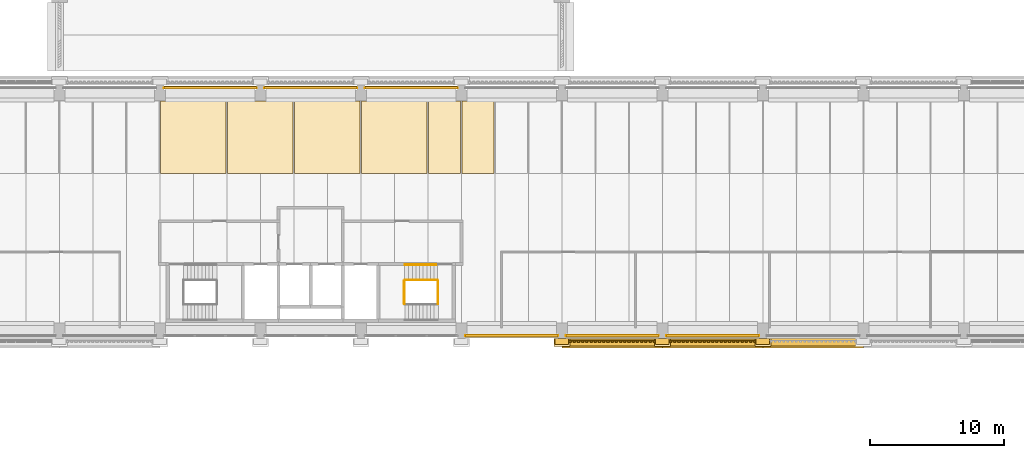
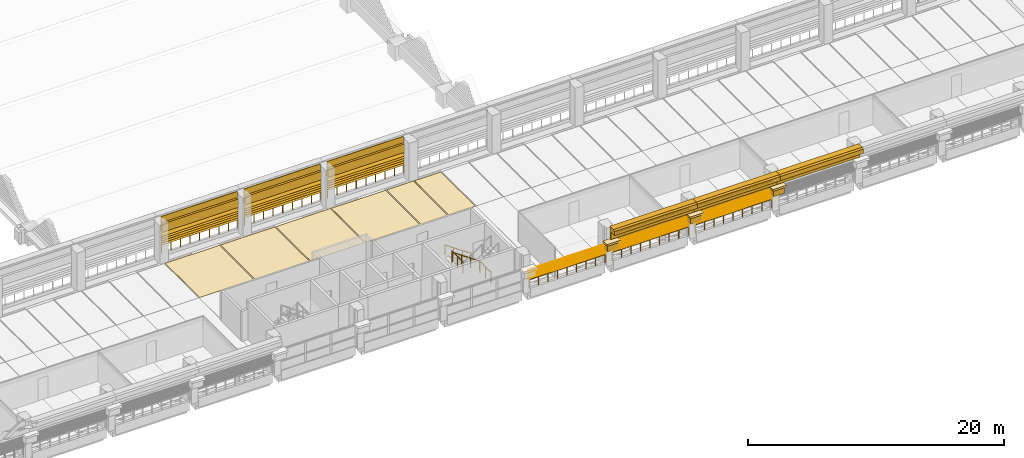
# One storey, part 45 of 71: 30 shading devices, 22 coverings, 10 railings.
"""IFC4 building model written with IfcOpenShell, lengths in metres."""

from ifc_helpers import new_model, si_unit, direction, frame, origin, origin_2d, place, context, subcontext, project, spatial, polyline, circle, outline, extrude, material, layer, layer_set, type_object, element, save


model = new_model("IFC4")

# Units and contexts
model_context = context("Model", 3, precision=1e-05, world=origin(), true_north=direction((0.0, 1.0)))
body_context = subcontext(model_context, "Body", "Model", "MODEL_VIEW")
ifc_project = project(units=[si_unit("LENGTHUNIT", "METRE"), si_unit("AREAUNIT", "SQUARE_METRE"), si_unit("VOLUMEUNIT", "CUBIC_METRE"), si_unit("PLANEANGLEUNIT", "RADIAN"), si_unit("MASSUNIT", "GRAM", prefix="KILO")], contexts=[model_context])

# Site, building, storey
site_placement = place(None, origin())
site = spatial("IfcSite", under=ifc_project, at=site_placement, CompositionType="ELEMENT")
building_placement = place(site_placement, origin())
building = spatial("IfcBuilding", under=site, at=building_placement, Name="Cour d'Honneur Mobility Palace", CompositionType="ELEMENT")
storey_placement = place(building_placement, frame((0.0, 0.0, 15.60009765625)))
storey = spatial("IfcBuildingStorey", under=building, at=storey_placement, Name="L04", CompositionType="ELEMENT", Elevation=15.60009765625)

# Coverings
ifc_material_1 = material(Name="Accessible bay marking paint")
ifc_layer_1 = layer(ifc_material_1, 0.0048828125)
ifc_layer_set_1 = layer_set([ifc_layer_1], Name="Accessible bay marking paint")
covering_type_1 = type_object("IfcCoveringType", Name="Accessible parking bay marking", PredefinedType="FLOORING", material=ifc_layer_set_1)
covering_1_placement = place(storey_placement, origin())
element("IfcCovering", 1, at=covering_1_placement, inside=storey, type_object=covering_type_1, Name="Accessible parking bay marking L04 1", PredefinedType="FLOORING", context=body_context, shape_type="SweptSolid", body=[
    extrude(outline(polyline([(69.949951171875, 56.550048828125), (69.949951171875, 61.949951171875), (74.85009765625, 61.949951171875), (74.85009765625, 56.550048828125), (69.949951171875, 56.550048828125)])), origin(), (0.0, 0.0, 1.0), 0.0048828125),
])
covering_2_placement = place(storey_placement, origin())
element("IfcCovering", 2, at=covering_2_placement, inside=storey, type_object=covering_type_1, Name="Accessible parking bay marking L04 2", PredefinedType="FLOORING", context=body_context, shape_type="SweptSolid", body=[
    extrude(outline(polyline([(74.949951171875, 56.550048828125), (74.949951171875, 61.949951171875), (79.85009765625, 61.949951171875), (79.85009765625, 56.550048828125), (74.949951171875, 56.550048828125)])), origin(), (0.0, 0.0, 1.0), 0.0048828125),
])
covering_3_placement = place(storey_placement, origin())
element("IfcCovering", 3, at=covering_3_placement, inside=storey, type_object=covering_type_1, Name="Accessible parking bay marking L04 3", PredefinedType="FLOORING", context=body_context, shape_type="SweptSolid", body=[
    extrude(outline(polyline([(79.949951171875, 56.550048828125), (79.949951171875, 61.949951171875), (84.85009765625, 61.949951171875), (84.85009765625, 56.550048828125), (79.949951171875, 56.550048828125)])), origin(), (0.0, 0.0, 1.0), 0.0048828125),
])
covering_4_placement = place(storey_placement, origin())
element("IfcCovering", 4, at=covering_4_placement, inside=storey, type_object=covering_type_1, Name="Accessible parking bay marking L04 4", PredefinedType="FLOORING", context=body_context, shape_type="SweptSolid", body=[
    extrude(outline(polyline([(84.949951171875, 56.550048828125), (84.949951171875, 61.949951171875), (89.85009765625, 61.949951171875), (89.85009765625, 56.550048828125), (84.949951171875, 56.550048828125)])), origin(), (0.0, 0.0, 1.0), 0.0048828125),
])

# Railings
ifc_material_2 = material(Name="Painted steel", Category="steel")
railing_type_1 = type_object("IfcRailingType", Name="Balustrade", PredefinedType="BALUSTRADE", material=ifc_material_2)
for number, where, name in (
    (5, (92.699951171875, 44.449951171875, 0.2998046875), "Balustrade BAL-211"),
    (6, (100.199951171875, 44.449951171875, 0.2998046875), "Balustrade BAL-212"),
    (7, (107.699951171875, 44.449951171875, 0.2998046875), "Balustrade BAL-213"),
):
    element("IfcRailing", number, at=place(storey_placement, frame(where)), inside=storey, type_object=railing_type_1, Name=name, PredefinedType="BALUSTRADE", context=body_context, shape_type="SweptSolid", body=[
        extrude(circle(Radius=0.02392578125, at=origin_2d()), frame((0.0, 0.0, 0.77587890625), z_axis=(1.0, 0.0, 0.0), x_axis=(0.0, 1.0, 0.0)), (0.0, 0.0, 1.0), 6.900146484375),
        extrude(circle(Radius=0.02099609375, at=origin_2d()), origin(), (0.0, 0.0, 1.0), 0.751953125),
        extrude(circle(Radius=0.02099609375, at=origin_2d()), frame((0.862548828125, 0.0, 0.0)), (0.0, 0.0, 1.0), 0.751953125),
        extrude(circle(Radius=0.02099609375, at=origin_2d()), frame((1.72509765625, 0.0, 0.0)), (0.0, 0.0, 1.0), 0.751953125),
        extrude(circle(Radius=0.02099609375, at=origin_2d()), frame((2.587646484375, 0.0, 0.0)), (0.0, 0.0, 1.0), 0.751953125),
        extrude(circle(Radius=0.02099609375, at=origin_2d()), frame((3.4501953125, 0.0, 0.0)), (0.0, 0.0, 1.0), 0.751953125),
        extrude(circle(Radius=0.02099609375, at=origin_2d()), frame((4.3125, 0.0, 0.0)), (0.0, 0.0, 1.0), 0.751953125),
        extrude(circle(Radius=0.02099609375, at=origin_2d()), frame((5.175048828125, 0.0, 0.0)), (0.0, 0.0, 1.0), 0.751953125),
        extrude(circle(Radius=0.02099609375, at=origin_2d()), frame((6.03759765625, 0.0, 0.0)), (0.0, 0.0, 1.0), 0.751953125),
        extrude(circle(Radius=0.02099609375, at=origin_2d()), frame((6.900146484375, 0.0, 0.0)), (0.0, 0.0, 1.0), 0.751953125),
    ])
for number, where, name in (
    (8, (92.10009765625, 62.949951171875, 0.2998046875), "Balustrade BAL-242"),
    (9, (84.60009765625, 62.949951171875, 0.2998046875), "Balustrade BAL-243"),
    (10, (77.10009765625, 62.949951171875, 0.2998046875), "Balustrade BAL-244"),
):
    element("IfcRailing", number, at=place(storey_placement, frame(where)), inside=storey, type_object=railing_type_1, Name=name, PredefinedType="BALUSTRADE", context=body_context, shape_type="SweptSolid", body=[
        extrude(circle(Radius=0.02392578125, at=origin_2d()), frame((0.0, 0.0, 0.77587890625), z_axis=(-1.0, 0.0, 0.0), x_axis=(0.0, -1.0, 0.0)), (0.0, 0.0, 1.0), 6.900146484375),
        extrude(circle(Radius=0.02099609375, at=origin_2d()), origin(), (0.0, 0.0, 1.0), 0.751953125),
        extrude(circle(Radius=0.02099609375, at=origin_2d()), frame((-0.862548828125, 0.0, 0.0)), (0.0, 0.0, 1.0), 0.751953125),
        extrude(circle(Radius=0.02099609375, at=origin_2d()), frame((-1.72509765625, 0.0, 0.0)), (0.0, 0.0, 1.0), 0.751953125),
        extrude(circle(Radius=0.02099609375, at=origin_2d()), frame((-2.587646484375, 0.0, 0.0)), (0.0, 0.0, 1.0), 0.751953125),
        extrude(circle(Radius=0.02099609375, at=origin_2d()), frame((-3.4501953125, 0.0, 0.0)), (0.0, 0.0, 1.0), 0.751953125),
        extrude(circle(Radius=0.02099609375, at=origin_2d()), frame((-4.3125, 0.0, 0.0)), (0.0, 0.0, 1.0), 0.751953125),
        extrude(circle(Radius=0.02099609375, at=origin_2d()), frame((-5.175048828125, 0.0, 0.0)), (0.0, 0.0, 1.0), 0.751953125),
        extrude(circle(Radius=0.02099609375, at=origin_2d()), frame((-6.03759765625, 0.0, 0.0)), (0.0, 0.0, 1.0), 0.751953125),
        extrude(circle(Radius=0.02099609375, at=origin_2d()), frame((-6.900146484375, 0.0, 0.0)), (0.0, 0.0, 1.0), 0.751953125),
    ])

# Coverings
ifc_material_3 = material(Name="Cast limestone", Category="masonry")
ifc_layer_2 = layer(ifc_material_3, 0.14990234375)
ifc_layer_set_2 = layer_set([ifc_layer_2], Name="Cast limestone")
covering_type_2 = type_object("IfcCoveringType", Name="Dentil course", PredefinedType="CLADDING", material=ifc_layer_set_2)
covering_5_placement = place(storey_placement, frame((0.0, 0.0, 3.14990234375)))
element("IfcCovering", 11, at=covering_5_placement, inside=storey, type_object=covering_type_2, Name="Dentil course DC-77", PredefinedType="CLADDING", context=body_context, shape_type="SweptSolid", body=[
    extrude(outline(polyline([(100.35009765625, 44.10009765625), (106.949951171875, 44.10009765625), (106.949951171875, 44.070068359375), (106.949951171875, 44.070068359375), (106.871337890625, 44.070068359375), (106.871337890625, 43.949951171875), (106.71435546875, 43.949951171875), (106.71435546875, 44.070068359375), (106.6357421875, 44.070068359375), (106.6357421875, 44.070068359375), (106.55712890625, 44.070068359375), (106.55712890625, 43.949951171875), (106.39990234375, 43.949951171875), (106.39990234375, 44.070068359375), (106.321533203125, 44.070068359375), (106.321533203125, 44.070068359375), (106.242919921875, 44.070068359375), (106.242919921875, 43.949951171875), (106.085693359375, 43.949951171875), (106.085693359375, 44.070068359375), (106.007080078125, 44.070068359375), (106.007080078125, 44.070068359375), (105.928466796875, 44.070068359375), (105.928466796875, 43.949951171875), (105.771484375, 43.949951171875), (105.771484375, 44.070068359375), (105.69287109375, 44.070068359375), (105.69287109375, 44.070068359375), (105.6142578125, 44.070068359375), (105.6142578125, 43.949951171875), (105.45703125, 43.949951171875), (105.45703125, 44.070068359375), (105.378662109375, 44.070068359375), (105.378662109375, 44.070068359375), (105.300048828125, 44.070068359375), (105.300048828125, 43.949951171875), (105.142822265625, 43.949951171875), (105.142822265625, 44.070068359375), (105.064208984375, 44.070068359375), (105.064208984375, 44.070068359375), (104.985595703125, 44.070068359375), (104.985595703125, 43.949951171875), (104.82861328125, 43.949951171875), (104.82861328125, 44.070068359375), (104.75, 44.070068359375), (104.75, 44.070068359375), (104.67138671875, 44.070068359375), (104.67138671875, 43.949951171875), (104.514404296875, 43.949951171875), (104.514404296875, 44.070068359375), (104.435791015625, 44.070068359375), (104.435791015625, 44.070068359375), (104.357177734375, 44.070068359375), (104.357177734375, 43.949951171875), (104.199951171875, 43.949951171875), (104.199951171875, 44.070068359375), (104.121337890625, 44.070068359375), (104.121337890625, 44.070068359375), (104.04296875, 44.070068359375), (104.04296875, 43.949951171875), (103.8857421875, 43.949951171875), (103.8857421875, 44.070068359375), (103.80712890625, 44.070068359375), (103.80712890625, 44.070068359375), (103.728515625, 44.070068359375), (103.728515625, 43.949951171875), (103.571533203125, 43.949951171875), (103.571533203125, 44.070068359375), (103.492919921875, 44.070068359375), (103.492919921875, 44.070068359375), (103.414306640625, 44.070068359375), (103.414306640625, 43.949951171875), (103.257080078125, 43.949951171875), (103.257080078125, 44.070068359375), (103.178466796875, 44.070068359375), (103.178466796875, 44.070068359375), (103.10009765625, 44.070068359375), (103.10009765625, 43.949951171875), (102.94287109375, 43.949951171875), (102.94287109375, 44.070068359375), (102.8642578125, 44.070068359375), (102.8642578125, 44.070068359375), (102.78564453125, 44.070068359375), (102.78564453125, 43.949951171875), (102.628662109375, 43.949951171875), (102.628662109375, 44.070068359375), (102.550048828125, 44.070068359375), (102.550048828125, 44.070068359375), (102.471435546875, 44.070068359375), (102.471435546875, 43.949951171875), (102.314208984375, 43.949951171875), (102.314208984375, 44.070068359375), (102.235595703125, 44.070068359375), (102.235595703125, 44.070068359375), (102.1572265625, 44.070068359375), (102.1572265625, 43.949951171875), (102.0, 43.949951171875), (102.0, 44.070068359375), (101.92138671875, 44.070068359375), (101.92138671875, 44.070068359375), (101.8427734375, 44.070068359375), (101.8427734375, 43.949951171875), (101.685791015625, 43.949951171875), (101.685791015625, 44.070068359375), (101.607177734375, 44.070068359375), (101.607177734375, 44.070068359375), (101.528564453125, 44.070068359375), (101.528564453125, 43.949951171875), (101.371337890625, 43.949951171875), (101.371337890625, 44.070068359375), (101.29296875, 44.070068359375), (101.29296875, 44.070068359375), (101.21435546875, 44.070068359375), (101.21435546875, 43.949951171875), (101.05712890625, 43.949951171875), (101.05712890625, 44.070068359375), (100.978515625, 44.070068359375), (100.978515625, 44.070068359375), (100.89990234375, 44.070068359375), (100.89990234375, 43.949951171875), (100.742919921875, 43.949951171875), (100.742919921875, 44.070068359375), (100.664306640625, 44.070068359375), (100.664306640625, 44.070068359375), (100.585693359375, 44.070068359375), (100.585693359375, 43.949951171875), (100.428466796875, 43.949951171875), (100.428466796875, 44.070068359375), (100.35009765625, 44.070068359375), (100.35009765625, 44.10009765625)])), origin(), (0.0, 0.0, 1.0), 0.14990234375),
])
covering_6_placement = place(storey_placement, frame((0.0, 0.0, 3.14990234375)))
element("IfcCovering", 12, at=covering_6_placement, inside=storey, type_object=covering_type_2, Name="Dentil course DC-78", PredefinedType="CLADDING", context=body_context, shape_type="SweptSolid", body=[
    extrude(outline(polyline([(107.85009765625, 44.10009765625), (114.449951171875, 44.10009765625), (114.449951171875, 44.070068359375), (114.449951171875, 44.070068359375), (114.371337890625, 44.070068359375), (114.371337890625, 43.949951171875), (114.21435546875, 43.949951171875), (114.21435546875, 44.070068359375), (114.1357421875, 44.070068359375), (114.1357421875, 44.070068359375), (114.05712890625, 44.070068359375), (114.05712890625, 43.949951171875), (113.89990234375, 43.949951171875), (113.89990234375, 44.070068359375), (113.821533203125, 44.070068359375), (113.821533203125, 44.070068359375), (113.742919921875, 44.070068359375), (113.742919921875, 43.949951171875), (113.585693359375, 43.949951171875), (113.585693359375, 44.070068359375), (113.507080078125, 44.070068359375), (113.507080078125, 44.070068359375), (113.428466796875, 44.070068359375), (113.428466796875, 43.949951171875), (113.271484375, 43.949951171875), (113.271484375, 44.070068359375), (113.19287109375, 44.070068359375), (113.19287109375, 44.070068359375), (113.1142578125, 44.070068359375), (113.1142578125, 43.949951171875), (112.95703125, 43.949951171875), (112.95703125, 44.070068359375), (112.878662109375, 44.070068359375), (112.878662109375, 44.070068359375), (112.800048828125, 44.070068359375), (112.800048828125, 43.949951171875), (112.642822265625, 43.949951171875), (112.642822265625, 44.070068359375), (112.564208984375, 44.070068359375), (112.564208984375, 44.070068359375), (112.485595703125, 44.070068359375), (112.485595703125, 43.949951171875), (112.32861328125, 43.949951171875), (112.32861328125, 44.070068359375), (112.25, 44.070068359375), (112.25, 44.070068359375), (112.17138671875, 44.070068359375), (112.17138671875, 43.949951171875), (112.014404296875, 43.949951171875), (112.014404296875, 44.070068359375), (111.935791015625, 44.070068359375), (111.935791015625, 44.070068359375), (111.857177734375, 44.070068359375), (111.857177734375, 43.949951171875), (111.699951171875, 43.949951171875), (111.699951171875, 44.070068359375), (111.621337890625, 44.070068359375), (111.621337890625, 44.070068359375), (111.54296875, 44.070068359375), (111.54296875, 43.949951171875), (111.3857421875, 43.949951171875), (111.3857421875, 44.070068359375), (111.30712890625, 44.070068359375), (111.30712890625, 44.070068359375), (111.228515625, 44.070068359375), (111.228515625, 43.949951171875), (111.071533203125, 43.949951171875), (111.071533203125, 44.070068359375), (110.992919921875, 44.070068359375), (110.992919921875, 44.070068359375), (110.914306640625, 44.070068359375), (110.914306640625, 43.949951171875), (110.757080078125, 43.949951171875), (110.757080078125, 44.070068359375), (110.678466796875, 44.070068359375), (110.678466796875, 44.070068359375), (110.60009765625, 44.070068359375), (110.60009765625, 43.949951171875), (110.44287109375, 43.949951171875), (110.44287109375, 44.070068359375), (110.3642578125, 44.070068359375), (110.3642578125, 44.070068359375), (110.28564453125, 44.070068359375), (110.28564453125, 43.949951171875), (110.128662109375, 43.949951171875), (110.128662109375, 44.070068359375), (110.050048828125, 44.070068359375), (110.050048828125, 44.070068359375), (109.971435546875, 44.070068359375), (109.971435546875, 43.949951171875), (109.814208984375, 43.949951171875), (109.814208984375, 44.070068359375), (109.735595703125, 44.070068359375), (109.735595703125, 44.070068359375), (109.6572265625, 44.070068359375), (109.6572265625, 43.949951171875), (109.5, 43.949951171875), (109.5, 44.070068359375), (109.42138671875, 44.070068359375), (109.42138671875, 44.070068359375), (109.3427734375, 44.070068359375), (109.3427734375, 43.949951171875), (109.185791015625, 43.949951171875), (109.185791015625, 44.070068359375), (109.107177734375, 44.070068359375), (109.107177734375, 44.070068359375), (109.028564453125, 44.070068359375), (109.028564453125, 43.949951171875), (108.871337890625, 43.949951171875), (108.871337890625, 44.070068359375), (108.79296875, 44.070068359375), (108.79296875, 44.070068359375), (108.71435546875, 44.070068359375), (108.71435546875, 43.949951171875), (108.55712890625, 43.949951171875), (108.55712890625, 44.070068359375), (108.478515625, 44.070068359375), (108.478515625, 44.070068359375), (108.39990234375, 44.070068359375), (108.39990234375, 43.949951171875), (108.242919921875, 43.949951171875), (108.242919921875, 44.070068359375), (108.164306640625, 44.070068359375), (108.164306640625, 44.070068359375), (108.085693359375, 44.070068359375), (108.085693359375, 43.949951171875), (107.928466796875, 43.949951171875), (107.928466796875, 44.070068359375), (107.85009765625, 44.070068359375), (107.85009765625, 44.10009765625)])), origin(), (0.0, 0.0, 1.0), 0.14990234375),
])
ifc_material_4 = material(Name="Cast limestone", Category="masonry")
ifc_layer_3 = layer(ifc_material_4, 0.699951171875)
ifc_layer_set_3 = layer_set([ifc_layer_3], Name="Cast limestone")
covering_type_3 = type_object("IfcCoveringType", Name="Entablature", PredefinedType="CLADDING", material=ifc_layer_set_3)
for number, where, z_axis, x_axis, name in (
    (13, (99.89990234375, 44.25, 2.599853515625), (-1.0, 0.0, 0.0), (0.0, -1.0, 0.0), "Entablature EN-77"),
    (14, (107.39990234375, 44.25, 2.599853515625), (-1.0, 0.0, 0.0), (0.0, -1.0, 0.0), "Entablature EN-78"),
    (15, (114.89990234375, 44.25, 2.599853515625), (-1.0, 0.0, 0.0), (0.0, -1.0, 0.0), "Entablature EN-79"),
):
    element("IfcCovering", number, at=place(storey_placement, frame(where, z_axis=z_axis, x_axis=x_axis)), inside=storey, type_object=covering_type_3, Name=name, PredefinedType="CLADDING", context=body_context, shape_type="SweptSolid", body=[
        extrude(outline(polyline([(0.0, 0.0), (0.14990234375, 0.0), (0.14990234375, 0.699951171875), (0.699951171875, 0.699951171875), (0.699951171875, 1.10009765625), (0.550048828125, 1.199951171875), (0.0, 1.199951171875), (0.0, 0.0)])), origin(), (0.0, 0.0, -1.0), 7.5),
    ])

# Railings
ifc_material_5 = material(Name="Painted steel", Category="steel")
railing_type_2 = type_object("IfcRailingType", Name="Guardrail 1100", PredefinedType="GUARDRAIL", material=ifc_material_5)
for number, where, name in (
    (16, (90.64501953125, 46.824951171875, 0.0), "Guard ST-CC2"),
    (17, (88.135009765625, 46.824951171875, 1.849853515625), "Landing guard ST-CC2"),
):
    element("IfcRailing", number, at=place(storey_placement, frame(where)), inside=storey, type_object=railing_type_2, Name=name, PredefinedType="GUARDRAIL", context=body_context, shape_type="SweptSolid", body=[
        extrude(circle(Radius=0.02490234375, at=origin_2d()), frame((0.0, 0.0, 1.0751953125), z_axis=(0.0, 1.0, 0.0), x_axis=(-1.0, 0.0, 0.0)), (0.0, 0.0, 1.0), 1.72509765625),
        extrude(circle(Radius=0.02099609375, at=origin_2d()), origin(), (0.0, 0.0, 1.0), 1.050048828125),
        extrude(circle(Radius=0.02099609375, at=origin_2d()), frame((0.0, 0.862548828125, 0.0)), (0.0, 0.0, 1.0), 1.050048828125),
        extrude(circle(Radius=0.02099609375, at=origin_2d()), frame((0.0, 1.72509765625, 0.0)), (0.0, 0.0, 1.0), 1.050048828125),
    ])
ifc_material_6 = material(Name="Stainless steel", Category="steel")
railing_type_3 = type_object("IfcRailingType", Name="Handrail round 50", PredefinedType="HANDRAIL", material=ifc_material_6)
railing_1_placement = place(storey_placement, frame((90.52490234375, 49.75, 0.25341796875)))
element("IfcRailing", 18, at=railing_1_placement, inside=storey, type_object=railing_type_3, Name="Handrail ST-CC2", PredefinedType="HANDRAIL", context=body_context, shape_type="SweptSolid", body=[
    extrude(circle(Radius=0.02490234375, at=origin_2d()), frame((0.0, 0.0, 0.89501953125), z_axis=(-0.824921175984, 0.0, 0.565247780547), x_axis=(0.0, -1.0, 0.0)), (0.0, 0.0, 1.0), 2.82421875),
    extrude(circle(Radius=0.02099609375, at=origin_2d()), origin(), (0.0, 0.0, 1.0), 0.869873046875),
    extrude(circle(Radius=0.02099609375, at=origin_2d()), frame((-0.776611328125, 0.0, 0.5322265625)), (0.0, 0.0, 1.0), 0.869873046875),
    extrude(circle(Radius=0.02099609375, at=origin_2d()), frame((-1.55322265625, 0.0, 1.064208984375)), (0.0, 0.0, 1.0), 0.869873046875),
    extrude(circle(Radius=0.02099609375, at=origin_2d()), frame((-2.329833984375, 0.0, 1.596435546875)), (0.0, 0.0, 1.0), 0.869873046875),
])
railing_2_placement = place(storey_placement, frame((90.625, 48.60009765625, 0.184814453125)))
element("IfcRailing", 19, at=railing_2_placement, inside=storey, type_object=railing_type_3, Name="Handrail ST-CC2", PredefinedType="HANDRAIL", context=body_context, shape_type="SweptSolid", body=[
    extrude(circle(Radius=0.02490234375, at=origin_2d()), frame((0.0, 0.0, 0.89501953125), z_axis=(-0.8249187745, 0.0, 0.56525128525), x_axis=(0.0, -1.0, 0.0)), (0.0, 0.0, 1.0), 2.945556640625),
    extrude(circle(Radius=0.02099609375, at=origin_2d()), origin(), (0.0, 0.0, 1.0), 0.869873046875),
    extrude(circle(Radius=0.02099609375, at=origin_2d()), frame((-0.81005859375, 0.0, 0.554931640625)), (0.0, 0.0, 1.0), 0.869873046875),
    extrude(circle(Radius=0.02099609375, at=origin_2d()), frame((-1.619873046875, 0.0, 1.110107421875)), (0.0, 0.0, 1.0), 0.869873046875),
    extrude(circle(Radius=0.02099609375, at=origin_2d()), frame((-2.429931640625, 0.0, 1.6650390625)), (0.0, 0.0, 1.0), 0.869873046875),
])

# Coverings
ifc_material_7 = material(Name="Parking marking paint")
ifc_layer_4 = layer(ifc_material_7, 0.0048828125)
ifc_layer_set_4 = layer_set([ifc_layer_4], Name="Parking marking paint")
covering_type_4 = type_object("IfcCoveringType", Name="Parking bay marking", PredefinedType="FLOORING", material=ifc_layer_set_4)
covering_7_placement = place(storey_placement, origin())
element("IfcCovering", 20, at=covering_7_placement, inside=storey, type_object=covering_type_4, Name="Parking bay marking L04 16", PredefinedType="FLOORING", context=body_context, shape_type="SweptSolid", body=[
    extrude(outline(polyline([(92.35009765625, 56.550048828125), (89.949951171875, 56.550048828125), (89.949951171875, 61.949951171875), (92.35009765625, 61.949951171875), (92.35009765625, 56.550048828125)])), origin(), (0.0, 0.0, 1.0), 0.0048828125),
])
covering_8_placement = place(storey_placement, origin())
element("IfcCovering", 21, at=covering_8_placement, inside=storey, type_object=covering_type_4, Name="Parking bay marking L04 17", PredefinedType="FLOORING", context=body_context, shape_type="SweptSolid", body=[
    extrude(outline(polyline([(94.85009765625, 56.550048828125), (92.449951171875, 56.550048828125), (92.449951171875, 61.949951171875), (94.85009765625, 61.949951171875), (94.85009765625, 56.550048828125)])), origin(), (0.0, 0.0, 1.0), 0.0048828125),
])
ifc_material_8 = material(Name="Cast limestone", Category="masonry")
ifc_layer_5 = layer(ifc_material_8, 0.1201171875)
ifc_layer_set_5 = layer_set([ifc_layer_5], Name="Cast limestone")
covering_type_5 = type_object("IfcCoveringType", Name="Pilaster capital", PredefinedType="CLADDING", material=ifc_layer_set_5)
covering_9_placement = place(storey_placement, frame((0.0, 0.0, 1.7998046875)))
element("IfcCovering", 22, at=covering_9_placement, inside=storey, type_object=covering_type_5, Name="Pilaster capital PK-41", PredefinedType="CLADDING", context=body_context, shape_type="SweptSolid", body=[
    extrude(outline(polyline([(99.39990234375, 44.25), (100.39990234375, 44.25), (100.39990234375, 43.780029296875), (99.39990234375, 43.780029296875), (99.39990234375, 44.25)])), origin(), (0.0, 0.0, 1.0), 0.6201171875),
])
covering_10_placement = place(storey_placement, frame((0.0, 0.0, 2.419921875)))
element("IfcCovering", 23, at=covering_10_placement, inside=storey, type_object=covering_type_5, Name="Pilaster capital PK-42", PredefinedType="CLADDING", context=body_context, shape_type="SweptSolid", body=[
    extrude(outline(polyline([(99.300048828125, 44.25), (100.5, 44.25), (100.5, 43.64990234375), (99.300048828125, 43.64990234375), (99.300048828125, 44.25)])), origin(), (0.0, 0.0, 1.0), 0.179931640625),
])
covering_11_placement = place(storey_placement, frame((0.0, 0.0, 1.7998046875)))
element("IfcCovering", 24, at=covering_11_placement, inside=storey, type_object=covering_type_5, Name="Pilaster capital PK-43", PredefinedType="CLADDING", context=body_context, shape_type="SweptSolid", body=[
    extrude(outline(polyline([(106.89990234375, 44.25), (107.89990234375, 44.25), (107.89990234375, 43.780029296875), (106.89990234375, 43.780029296875), (106.89990234375, 44.25)])), origin(), (0.0, 0.0, 1.0), 0.6201171875),
])
covering_12_placement = place(storey_placement, frame((0.0, 0.0, 2.419921875)))
element("IfcCovering", 25, at=covering_12_placement, inside=storey, type_object=covering_type_5, Name="Pilaster capital PK-44", PredefinedType="CLADDING", context=body_context, shape_type="SweptSolid", body=[
    extrude(outline(polyline([(106.800048828125, 44.25), (108.0, 44.25), (108.0, 43.64990234375), (106.800048828125, 43.64990234375), (106.800048828125, 44.25)])), origin(), (0.0, 0.0, 1.0), 0.179931640625),
])
covering_13_placement = place(storey_placement, frame((0.0, 0.0, 1.7998046875)))
element("IfcCovering", 26, at=covering_13_placement, inside=storey, type_object=covering_type_5, Name="Pilaster capital PK-45", PredefinedType="CLADDING", context=body_context, shape_type="SweptSolid", body=[
    extrude(outline(polyline([(114.39990234375, 44.25), (115.39990234375, 44.25), (115.39990234375, 43.780029296875), (114.39990234375, 43.780029296875), (114.39990234375, 44.25)])), origin(), (0.0, 0.0, 1.0), 0.6201171875),
])
covering_14_placement = place(storey_placement, frame((0.0, 0.0, 2.419921875)))
element("IfcCovering", 27, at=covering_14_placement, inside=storey, type_object=covering_type_5, Name="Pilaster capital PK-46", PredefinedType="CLADDING", context=body_context, shape_type="SweptSolid", body=[
    extrude(outline(polyline([(114.300048828125, 44.25), (115.5, 44.25), (115.5, 43.64990234375), (114.300048828125, 43.64990234375), (114.300048828125, 44.25)])), origin(), (0.0, 0.0, 1.0), 0.179931640625),
])
ifc_material_9 = material(Name="Cast limestone", Category="masonry")
ifc_layer_6 = layer(ifc_material_9, 0.25)
ifc_layer_set_6 = layer_set([ifc_layer_6], Name="Cast limestone")
covering_type_6 = type_object("IfcCoveringType", Name="Spandrel cladding", PredefinedType="CLADDING", material=ifc_layer_set_6)
for number, where, z_axis, x_axis, name in (
    (28, (100.199951171875, 44.550048828125, 2.2998046875), (-1.0, 0.0, 0.0), (0.0, -1.0, 0.0), "Spandrel cladding SK-288"),
    (29, (107.699951171875, 44.550048828125, 2.2998046875), (-1.0, 0.0, 0.0), (0.0, -1.0, 0.0), "Spandrel cladding SK-289"),
    (30, (92.10009765625, 62.85009765625, 2.2998046875), (1.0, 0.0, 0.0), (0.0, 1.0, 0.0), "Spandrel cladding SK-321"),
    (31, (84.60009765625, 62.85009765625, 2.2998046875), (1.0, 0.0, 0.0), (0.0, 1.0, 0.0), "Spandrel cladding SK-322"),
    (32, (77.10009765625, 62.85009765625, 2.2998046875), (1.0, 0.0, 0.0), (0.0, 1.0, 0.0), "Spandrel cladding SK-323"),
):
    element("IfcCovering", number, at=place(storey_placement, frame(where, z_axis=z_axis, x_axis=x_axis)), inside=storey, type_object=covering_type_6, Name=name, PredefinedType="CLADDING", context=body_context, shape_type="SweptSolid", body=[
        extrude(outline(polyline([(0.0, 0.0), (0.25, 0.0), (0.25, 1.400146484375), (0.199951171875, 1.400146484375), (0.199951171875, 0.800048828125), (0.0, 0.800048828125), (0.0, 0.0)])), origin(), (0.0, 0.0, -1.0), 6.89990234375),
    ])

# Shading devices
ifc_material_10 = material(Name="Terracotta", Category="masonry")
ifc_layer_7 = layer(ifc_material_10, 0.02490234375)
ifc_layer_set_7 = layer_set([ifc_layer_7], Name="Terracotta")
shading_device_type = type_object("IfcShadingDeviceType", Name="Terracotta louvre blade", PredefinedType="JALOUSIE", material=ifc_layer_set_7)
for number, where, z_axis, x_axis, name in (
    (33, (92.699951171875, 44.55615234375, 1.099853515625), (0.0, 0.707106781187, 0.707106781187), (1.0, 0.0, 0.0), "Louvre blade LV-1 S2.10 L04 1"),
    (34, (92.699951171875, 44.55615234375, 1.31201171875), (0.0, 0.707106781187, 0.707106781187), (1.0, 0.0, 0.0), "Louvre blade LV-1 S2.10 L04 2"),
    (35, (92.699951171875, 44.55615234375, 1.524169921875), (0.0, 0.707106781187, 0.707106781187), (1.0, 0.0, 0.0), "Louvre blade LV-1 S2.10 L04 3"),
    (36, (92.699951171875, 44.55615234375, 1.736328125), (0.0, 0.707106781187, 0.707106781187), (1.0, 0.0, 0.0), "Louvre blade LV-1 S2.10 L04 4"),
    (37, (92.699951171875, 44.55615234375, 1.948486328125), (0.0, 0.707106781187, 0.707106781187), (1.0, 0.0, 0.0), "Louvre blade LV-1 S2.10 L04 5"),
    (38, (100.199951171875, 44.55615234375, 1.099853515625), (0.0, 0.707106781187, 0.707106781187), (1.0, 0.0, 0.0), "Louvre blade LV-1 S2.11 L04 1"),
    (39, (100.199951171875, 44.55615234375, 1.31201171875), (0.0, 0.707106781187, 0.707106781187), (1.0, 0.0, 0.0), "Louvre blade LV-1 S2.11 L04 2"),
    (40, (100.199951171875, 44.55615234375, 1.524169921875), (0.0, 0.707106781187, 0.707106781187), (1.0, 0.0, 0.0), "Louvre blade LV-1 S2.11 L04 3"),
    (41, (100.199951171875, 44.55615234375, 1.736328125), (0.0, 0.707106781187, 0.707106781187), (1.0, 0.0, 0.0), "Louvre blade LV-1 S2.11 L04 4"),
    (42, (100.199951171875, 44.55615234375, 1.948486328125), (0.0, 0.707106781187, 0.707106781187), (1.0, 0.0, 0.0), "Louvre blade LV-1 S2.11 L04 5"),
    (43, (107.699951171875, 44.55615234375, 1.099853515625), (0.0, 0.707106781187, 0.707106781187), (1.0, 0.0, 0.0), "Louvre blade LV-1 S2.12 L04 1"),
    (44, (107.699951171875, 44.55615234375, 1.31201171875), (0.0, 0.707106781187, 0.707106781187), (1.0, 0.0, 0.0), "Louvre blade LV-1 S2.12 L04 2"),
    (45, (107.699951171875, 44.55615234375, 1.524169921875), (0.0, 0.707106781187, 0.707106781187), (1.0, 0.0, 0.0), "Louvre blade LV-1 S2.12 L04 3"),
    (46, (107.699951171875, 44.55615234375, 1.736328125), (0.0, 0.707106781187, 0.707106781187), (1.0, 0.0, 0.0), "Louvre blade LV-1 S2.12 L04 4"),
    (47, (107.699951171875, 44.55615234375, 1.948486328125), (0.0, 0.707106781187, 0.707106781187), (1.0, 0.0, 0.0), "Louvre blade LV-1 S2.12 L04 5"),
    (48, (92.10009765625, 62.843994140625, 1.099853515625), (0.0, -0.707106781187, 0.707106781187), (-1.0, 0.0, 0.0), "Louvre blade LV-1 N8.7 L04 1"),
    (49, (92.10009765625, 62.843994140625, 1.31201171875), (0.0, -0.707106781187, 0.707106781187), (-1.0, 0.0, 0.0), "Louvre blade LV-1 N8.7 L04 2"),
    (50, (92.10009765625, 62.843994140625, 1.524169921875), (0.0, -0.707106781187, 0.707106781187), (-1.0, 0.0, 0.0), "Louvre blade LV-1 N8.7 L04 3"),
    (51, (92.10009765625, 62.843994140625, 1.736328125), (0.0, -0.707106781187, 0.707106781187), (-1.0, 0.0, 0.0), "Louvre blade LV-1 N8.7 L04 4"),
    (52, (92.10009765625, 62.843994140625, 1.948486328125), (0.0, -0.707106781187, 0.707106781187), (-1.0, 0.0, 0.0), "Louvre blade LV-1 N8.7 L04 5"),
    (53, (84.60009765625, 62.843994140625, 1.099853515625), (0.0, -0.707106781187, 0.707106781187), (-1.0, 0.0, 0.0), "Louvre blade LV-1 N8.8 L04 1"),
    (54, (84.60009765625, 62.843994140625, 1.31201171875), (0.0, -0.707106781187, 0.707106781187), (-1.0, 0.0, 0.0), "Louvre blade LV-1 N8.8 L04 2"),
    (55, (84.60009765625, 62.843994140625, 1.524169921875), (0.0, -0.707106781187, 0.707106781187), (-1.0, 0.0, 0.0), "Louvre blade LV-1 N8.8 L04 3"),
    (56, (84.60009765625, 62.843994140625, 1.736328125), (0.0, -0.707106781187, 0.707106781187), (-1.0, 0.0, 0.0), "Louvre blade LV-1 N8.8 L04 4"),
    (57, (84.60009765625, 62.843994140625, 1.948486328125), (0.0, -0.707106781187, 0.707106781187), (-1.0, 0.0, 0.0), "Louvre blade LV-1 N8.8 L04 5"),
    (58, (77.10009765625, 62.843994140625, 1.099853515625), (0.0, -0.707106781187, 0.707106781187), (-1.0, 0.0, 0.0), "Louvre blade LV-1 N8.9 L04 1"),
    (59, (77.10009765625, 62.843994140625, 1.31201171875), (0.0, -0.707106781187, 0.707106781187), (-1.0, 0.0, 0.0), "Louvre blade LV-1 N8.9 L04 2"),
    (60, (77.10009765625, 62.843994140625, 1.524169921875), (0.0, -0.707106781187, 0.707106781187), (-1.0, 0.0, 0.0), "Louvre blade LV-1 N8.9 L04 3"),
    (61, (77.10009765625, 62.843994140625, 1.736328125), (0.0, -0.707106781187, 0.707106781187), (-1.0, 0.0, 0.0), "Louvre blade LV-1 N8.9 L04 4"),
    (62, (77.10009765625, 62.843994140625, 1.948486328125), (0.0, -0.707106781187, 0.707106781187), (-1.0, 0.0, 0.0), "Louvre blade LV-1 N8.9 L04 5"),
):
    element("IfcShadingDevice", number, at=place(storey_placement, frame(where, z_axis=z_axis, x_axis=x_axis)), inside=storey, type_object=shading_device_type, Name=name, PredefinedType="JALOUSIE", context=body_context, shape_type="SweptSolid", body=[
        extrude(outline(polyline([(0.0, 0.0), (6.900146484375, 0.0), (6.900146484375, -0.300037008228081), (0.0, -0.300037008228081), (0.0, 0.0)])), origin(), (0.0, 0.0, -1.0), 0.02490234375),
    ])

save(model, "model.ifc")
